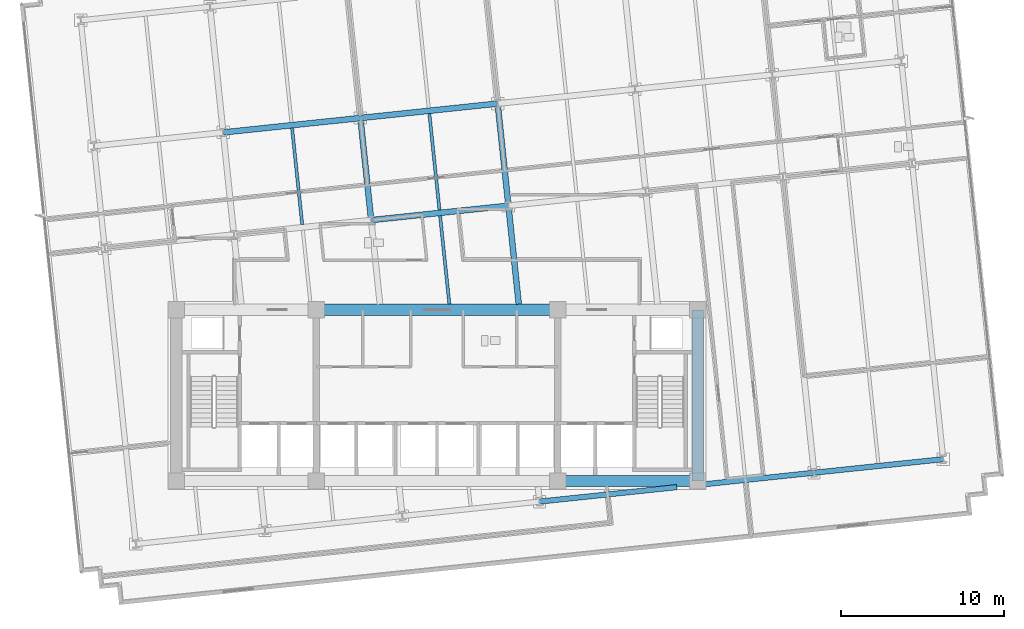
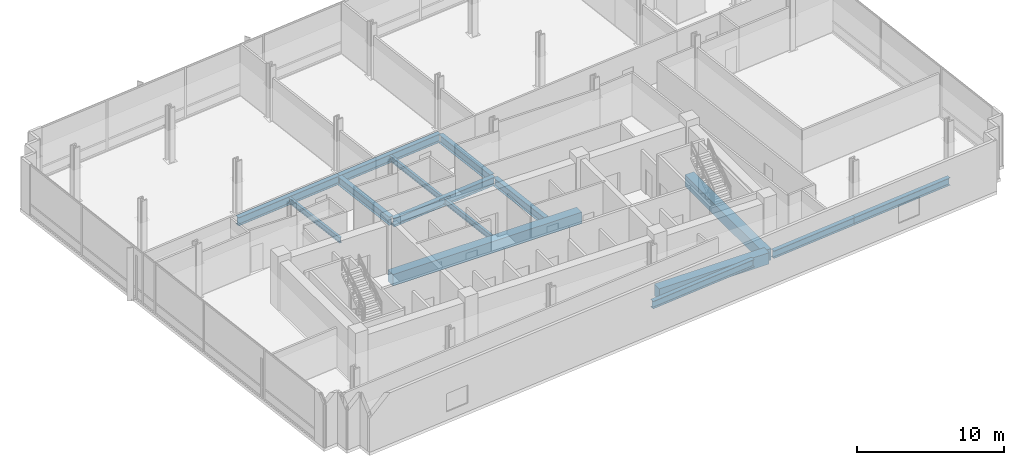
# One storey, part 5 of 20: 15 beams.
"""IFC4 building model written with IfcOpenShell, lengths in metres."""

from ifc_helpers import new_model, si_unit, direction, frame, origin, origin_2d, place, context, subcontext, project, spatial, rectangle, i_section, extrude, material, material_profile, profile_set, type_object, element, save


model = new_model("IFC4")

# Units and contexts
model_context = context("Model", 3, precision=1e-05, world=origin(), true_north=direction((0.0, 1.0)))
body_context = subcontext(model_context, "Body", "Model", "MODEL_VIEW")
ifc_project = project(units=[si_unit("LENGTHUNIT", "METRE"), si_unit("AREAUNIT", "SQUARE_METRE"), si_unit("VOLUMEUNIT", "CUBIC_METRE"), si_unit("PLANEANGLEUNIT", "RADIAN"), si_unit("MASSUNIT", "GRAM", prefix="KILO")], contexts=[model_context])

# Site, building, storey
site_placement = place(None, origin())
site = spatial("IfcSite", under=ifc_project, at=site_placement, CompositionType="ELEMENT")
building_placement = place(site_placement, origin())
building = spatial("IfcBuilding", under=site, at=building_placement, Name="Solmavex Isthmus Hotel", CompositionType="ELEMENT")
storey_placement = place(building_placement, frame((0.0, 0.0, 97.35009765625)))
storey = spatial("IfcBuildingStorey", under=building, at=storey_placement, Name="L26", CompositionType="ELEMENT", Elevation=97.35009765625)

# Beams
ifc_material_1 = material(Name="Steel ASTM A992 Grade 50", Category="steel")
ifc_material_profile_1 = material_profile(ifc_material_1, i_section(OverallWidth=0.354736328125, OverallDepth=0.695556640625, WebThickness=0.015380859375, FlangeThickness=0.02490234375, FilletRadius=0.017822265625, at=origin_2d()), Name="W27X146")
ifc_profile_set_1 = profile_set([ifc_material_profile_1], Name="Steel ASTM A992 Grade 50")
beam_type_1 = type_object("IfcBeamType", Name="BM-BG-W27X146", PredefinedType="BEAM", material=ifc_profile_set_1)
beam_1_placement = place(storey_placement, frame((-4.0390625, 3.003662109375, -0.60791015625), z_axis=(0.994523767887, 0.104510645909, 0.0), x_axis=(-0.104510645909, 0.994523767887, 0.0)))
element("IfcBeam", 1, at=beam_1_placement, inside=storey, type_object=beam_type_1, Name="Floor Girder L26-UG09", PredefinedType="BEAM", context=body_context, shape_type="SweptSolid", body=[
    extrude(i_section(OverallWidth=0.354736328125, OverallDepth=0.695556640625, WebThickness=0.015380859375, FlangeThickness=0.02490234375, FilletRadius=0.017822265625, at=origin_2d()), origin(), (0.0, 0.0, 1.0), 8.4658203125),
])
for number, where, z_axis, x_axis, name in (
    (2, (-13.1171875, 8.382080078125, -0.60791015625), (0.994521085209, 0.104536171134, 0.0), (-0.104536171134, 0.994521085209, 0.0), "Floor Girder L26-UG14"),
    (3, (-4.697509765625, 9.26708984375, -0.60791015625), (0.994521085209, 0.104536171134, 0.0), (-0.104536171134, 0.994521085209, 0.0), "Floor Girder L26-UG15"),
):
    element("IfcBeam", number, at=place(storey_placement, frame(where, z_axis=z_axis, x_axis=x_axis)), inside=storey, type_object=beam_type_1, Name=name, PredefinedType="BEAM", context=body_context, shape_type="SweptSolid", body=[
        extrude(i_section(OverallWidth=0.354736328125, OverallDepth=0.695556640625, WebThickness=0.015380859375, FlangeThickness=0.02490234375, FilletRadius=0.017822265625, at=origin_2d()), origin(), (0.0, 0.0, 1.0), 8.466064453125),
    ])
beam_2_placement = place(storey_placement, frame((-4.0576171875, 3.179931640625, -0.60791015625), z_axis=(-0.104545790518, 0.994520074048, 0.0), x_axis=(-0.994520074048, -0.104545790518, 0.0)))
element("IfcBeam", 4, at=beam_2_placement, inside=storey, type_object=beam_type_1, Name="Floor Beam L26-VG34", PredefinedType="BEAM", context=body_context, shape_type="SweptSolid", body=[
    extrude(i_section(OverallWidth=0.354736328125, OverallDepth=0.695556640625, WebThickness=0.015380859375, FlangeThickness=0.02490234375, FilletRadius=0.017822265625, at=origin_2d()), origin(), (0.0, 0.0, 1.0), 5.943115234375),
])
beam_3_placement = place(storey_placement, frame((5.01513671875, -2.14990234375, -0.60791015625), z_axis=(-0.104542482388, 0.994520421799, 0.0), x_axis=(-0.994520421799, -0.104542482388, 0.0)))
element("IfcBeam", 5, at=beam_3_placement, inside=storey, type_object=beam_type_1, Name="Floor Beam L26-VG37", PredefinedType="BEAM", context=body_context, shape_type="SweptSolid", body=[
    extrude(i_section(OverallWidth=0.354736328125, OverallDepth=0.695556640625, WebThickness=0.015380859375, FlangeThickness=0.02490234375, FilletRadius=0.017822265625, at=origin_2d()), origin(), (0.0, 0.0, 1.0), 5.894287109375),
])
beam_4_placement = place(storey_placement, frame((4.362060546875, 4.06494140625, -0.60791015625), z_axis=(-0.104545790518, 0.994520074048, 0.0), x_axis=(-0.994520074048, -0.104545790518, 0.0)))
element("IfcBeam", 6, at=beam_4_placement, inside=storey, type_object=beam_type_1, Name="Floor Beam L26-VG38", PredefinedType="BEAM", context=body_context, shape_type="SweptSolid", body=[
    extrude(i_section(OverallWidth=0.354736328125, OverallDepth=0.695556640625, WebThickness=0.015380859375, FlangeThickness=0.02490234375, FilletRadius=0.017822265625, at=origin_2d()), origin(), (0.0, 0.0, 1.0), 5.943115234375),
])
ifc_material_profile_2 = material_profile(ifc_material_1, i_section(OverallWidth=0.1904296875, OverallDepth=0.456787109375, WebThickness=0.009033203125, FlangeThickness=0.014404296875, FilletRadius=0.0126953125, at=origin_2d()), Name="W18X50")
ifc_profile_set_2 = profile_set([ifc_material_profile_2], Name="Steel ASTM A992 Grade 50")
beam_type_2 = type_object("IfcBeamType", Name="BM-BJ-W18X50", PredefinedType="JOIST", material=ifc_profile_set_2)
beam_5_placement = place(storey_placement, frame((-8.267578125, 2.737548828125, -0.488525390625), z_axis=(-0.104505160346, 0.994524344328, 0.0), x_axis=(-0.994524344328, -0.104505160346, 0.0)))
element("IfcBeam", 7, at=beam_5_placement, inside=storey, type_object=beam_type_2, Name="Secondary Floor Joist L26-J07", PredefinedType="JOIST", context=body_context, shape_type="SweptSolid", body=[
    extrude(i_section(OverallWidth=0.1904296875, OverallDepth=0.456787109375, WebThickness=0.009033203125, FlangeThickness=0.014404296875, FilletRadius=0.0126953125, at=origin_2d()), origin(), (0.0, 0.0, 1.0), 5.943115234375),
])
beam_6_placement = place(storey_placement, frame((0.7587890625, -2.14990234375, -0.488525390625), z_axis=(-0.104523862956, 0.99452237887, 0.0), x_axis=(-0.99452237887, -0.104523862956, 0.0)))
element("IfcBeam", 8, at=beam_6_placement, inside=storey, type_object=beam_type_2, Name="Secondary Floor Joist L26-J10", PredefinedType="JOIST", context=body_context, shape_type="SweptSolid", body=[
    extrude(i_section(OverallWidth=0.1904296875, OverallDepth=0.456787109375, WebThickness=0.009033203125, FlangeThickness=0.014404296875, FilletRadius=0.0126953125, at=origin_2d()), origin(), (0.0, 0.0, 1.0), 5.44921875),
])
beam_7_placement = place(storey_placement, frame((0.152099609375, 3.62255859375, -0.488525390625), z_axis=(-0.104505160346, 0.994524344328, 0.0), x_axis=(-0.994524344328, -0.104505160346, 0.0)))
element("IfcBeam", 9, at=beam_7_placement, inside=storey, type_object=beam_type_2, Name="Secondary Floor Joist L26-J11", PredefinedType="JOIST", context=body_context, shape_type="SweptSolid", body=[
    extrude(i_section(OverallWidth=0.1904296875, OverallDepth=0.456787109375, WebThickness=0.009033203125, FlangeThickness=0.014404296875, FilletRadius=0.0126953125, at=origin_2d()), origin(), (0.0, 0.0, 1.0), 5.943115234375),
])
ifc_material_2 = material(Name="Concrete C60/75", Category="concrete")
ifc_material_profile_3 = material_profile(ifc_material_2, rectangle(XDim=0.699951171875, YDim=0.949951171875, at=origin_2d()), Name="RC700X950")
ifc_profile_set_3 = profile_set([ifc_material_profile_3], Name="Concrete C60/75")
beam_type_3 = type_object("IfcBeamType", Name="BM-CB-700X950", PredefinedType="BEAM", material=ifc_profile_set_3)
beam_8_placement = place(storey_placement, frame((7.39990234375, -13.0, -0.735107421875), z_axis=(1.0, 0.0, 0.0), x_axis=(0.0, 1.0, 0.0)))
element("IfcBeam", 10, at=beam_8_placement, inside=storey, type_object=beam_type_3, Name="Core Coupling Beam L26-CB3", PredefinedType="BEAM", context=body_context, shape_type="SweptSolid", body=[
    extrude(rectangle(XDim=0.699951171875, YDim=0.949951171875, at=origin_2d()), origin(), (0.0, 0.0, 1.0), 8.60009765625),
])
beam_9_placement = place(storey_placement, frame((-7.39990234375, -2.5, -0.735107421875), z_axis=(1.0, 0.0, 0.0), x_axis=(0.0, 1.0, 0.0)))
element("IfcBeam", 11, at=beam_9_placement, inside=storey, type_object=beam_type_3, Name="Core Coupling Beam L26-CB5", PredefinedType="BEAM", context=body_context, shape_type="SweptSolid", body=[
    extrude(rectangle(XDim=0.699951171875, YDim=0.949951171875, at=origin_2d()), origin(), (0.0, 0.0, 1.0), 14.7998046875),
])
beam_10_placement = place(storey_placement, frame((16.0, -13.0, -0.735107421875), z_axis=(0.0, 1.0, 0.0), x_axis=(-1.0, 0.0, 0.0)))
element("IfcBeam", 12, at=beam_10_placement, inside=storey, type_object=beam_type_3, Name="Core Coupling Beam L26-CB8", PredefinedType="BEAM", context=body_context, shape_type="SweptSolid", body=[
    extrude(rectangle(XDim=0.699951171875, YDim=0.949951171875, at=origin_2d()), origin(), (0.0, 0.0, 1.0), 10.5),
])
ifc_material_profile_4 = material_profile(ifc_material_1, i_section(OverallWidth=0.326416015625, OverallDepth=0.621826171875, WebThickness=0.015380859375, FlangeThickness=0.0244140625, FilletRadius=0.01513671875, at=origin_2d()), Name="W24X131")
ifc_profile_set_4 = profile_set([ifc_material_profile_4], Name="Steel ASTM A992 Grade 50")
beam_type_4 = type_object("IfcBeamType", Name="BM-SP-W24X131", PredefinedType="SPANDREL", material=ifc_profile_set_4)
beam_11_placement = place(storey_placement, frame((6.2880859375, -14.261474609375, -0.571044921875), z_axis=(0.994524082861, 0.104507648572, 0.0), x_axis=(-0.104507648572, 0.994524082861, 0.0)))
element("IfcBeam", 13, at=beam_11_placement, inside=storey, type_object=beam_type_4, Name="Floor Girder L26-UG04", PredefinedType="SPANDREL", context=body_context, shape_type="SweptSolid", body=[
    extrude(i_section(OverallWidth=0.326416015625, OverallDepth=0.621826171875, WebThickness=0.015380859375, FlangeThickness=0.0244140625, FilletRadius=0.01513671875, at=origin_2d()), origin(), (0.0, 0.0, 1.0), 8.466064453125),
])
beam_12_placement = place(storey_placement, frame((16.35009765625, -13.2041015625, -0.571044921875), z_axis=(0.994520754079, 0.10453932134, 0.0), x_axis=(-0.10453932134, 0.994520754079, 0.0)))
element("IfcBeam", 14, at=beam_12_placement, inside=storey, type_object=beam_type_4, Name="Floor Girder L26-UG05", PredefinedType="SPANDREL", context=body_context, shape_type="SweptSolid", body=[
    extrude(i_section(OverallWidth=0.326416015625, OverallDepth=0.621826171875, WebThickness=0.015380859375, FlangeThickness=0.0244140625, FilletRadius=0.01513671875, at=origin_2d()), origin(), (0.0, 0.0, 1.0), 6.814697265625),
])
beam_13_placement = place(storey_placement, frame((23.12744140625, -12.49169921875, -0.571044921875), z_axis=(0.994520217478, 0.10454442609, 0.0), x_axis=(-0.10454442609, 0.994520217478, 0.0)))
element("IfcBeam", 15, at=beam_13_placement, inside=storey, type_object=beam_type_4, Name="Floor Girder L26-UG06", PredefinedType="SPANDREL", context=body_context, shape_type="SweptSolid", body=[
    extrude(i_section(OverallWidth=0.326416015625, OverallDepth=0.621826171875, WebThickness=0.015380859375, FlangeThickness=0.0244140625, FilletRadius=0.01513671875, at=origin_2d()), origin(), (0.0, 0.0, 1.0), 7.968017578125),
])

save(model, "model.ifc")
